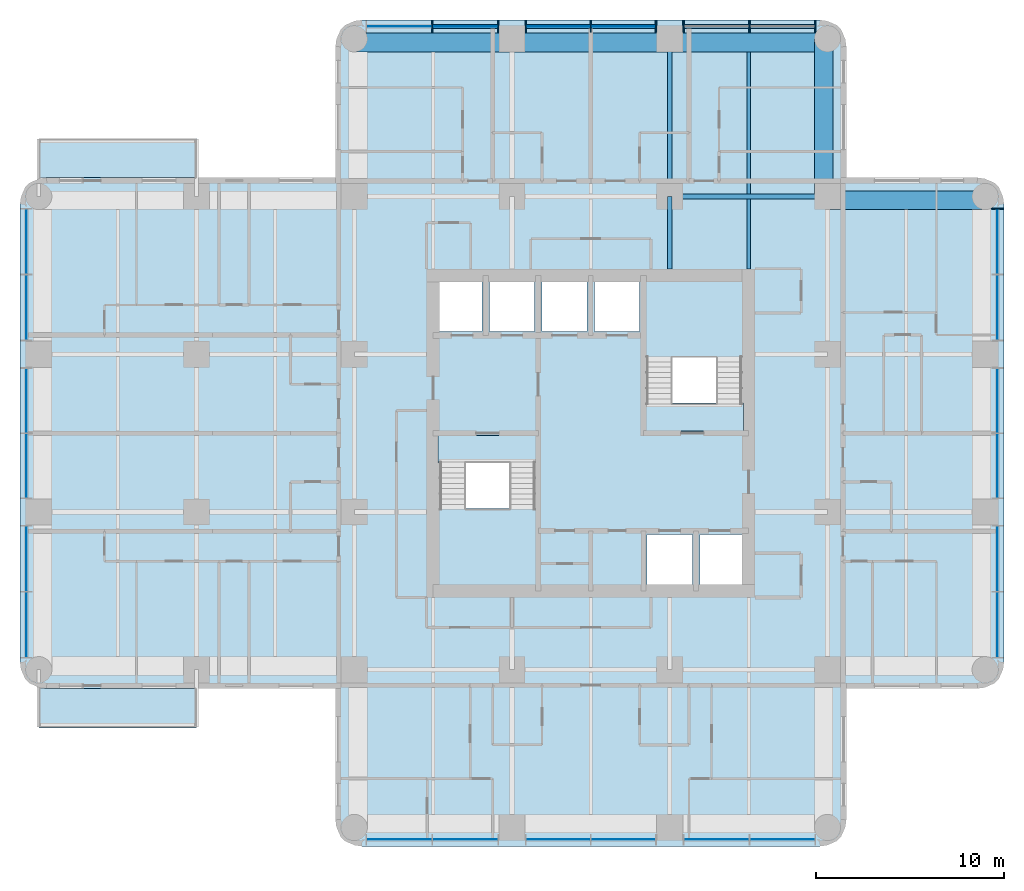
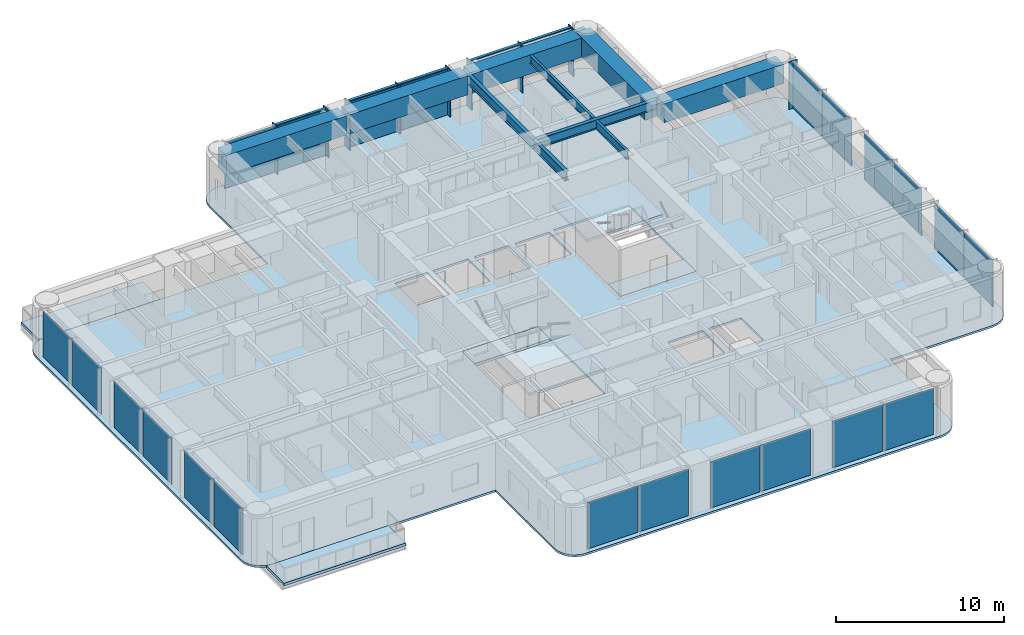
# One storey, part 3 of 11: 22 plates, 14 members, 10 beams, 7 slabs, 6 elements without a shape of their own.
"""IFC4 building model written with IfcOpenShell, lengths in metres."""

from ifc_helpers import new_model, si_unit, direction, frame, origin, origin_2d, place, context, subcontext, project, spatial, polyline, rectangle, i_section, outline, extrude, material, layer, layer_set, material_profile, profile_set, type_object, element, aggregate, save


model = new_model("IFC4")

# Units and contexts
model_context = context("Model", 3, precision=1e-05, world=origin(), true_north=direction((0.0, 1.0)))
body_context = subcontext(model_context, "Body", "Model", "MODEL_VIEW")
ifc_project = project(units=[si_unit("LENGTHUNIT", "METRE"), si_unit("AREAUNIT", "SQUARE_METRE"), si_unit("VOLUMEUNIT", "CUBIC_METRE"), si_unit("PLANEANGLEUNIT", "RADIAN"), si_unit("MASSUNIT", "GRAM", prefix="KILO")], contexts=[model_context])

# Site, building, storey
site_placement = place(None, origin())
site = spatial("IfcSite", under=ifc_project, at=site_placement, CompositionType="ELEMENT")
building_placement = place(site_placement, origin())
building = spatial("IfcBuilding", under=site, at=building_placement, Name="Torre Alcanfor", CompositionType="ELEMENT")
storey_placement = place(building_placement, frame((0.0, 0.0, 222.89990234375)))
storey = spatial("IfcBuildingStorey", under=building, at=storey_placement, Name="L58", CompositionType="ELEMENT", Elevation=222.89990234375)

# Curtain wall, member
ifc_material_1 = material(Name="Aluminium and glass", Category="aluminium")
curtain_wall_type = type_object("IfcCurtainWallType", Name="CW-A unitised apartment glazing with vertical FIN", PredefinedType="NOTDEFINED", material=ifc_material_1)
curtain_wall_1_placement = place(storey_placement, origin())
curtain_wall_1 = element("IfcCurtainWall", 1, at=curtain_wall_1_placement, inside=storey, type_object=curtain_wall_type, Name="Curtain wall CW-A L58 8", PredefinedType="NOTDEFINED")
ifc_material_2 = material(Name="Bronze anodised aluminium", Category="aluminium")
ifc_material_profile_1 = material_profile(ifc_material_2, rectangle(XDim=0.60009765625, YDim=0.06494140625, at=origin_2d()), Name="CW-A mullion 65x600")
ifc_profile_set_1 = profile_set([ifc_material_profile_1], Name="Bronze anodised aluminium")
member_type_1 = type_object("IfcMemberType", Name="CW-A mullion with vertical FIN 65x600", PredefinedType="MULLION", material=ifc_profile_set_1)
member_1_placement = place(storey_placement, frame((51.050048828125, 41.35546875, 0.0), z_axis=(0.0, 0.0, 1.0), x_axis=(-1.0, 0.0, 0.0)))
member_1 = element("IfcMember", 2, at=member_1_placement, type_object=member_type_1, Name="CW-A mullion 3.3", PredefinedType="MULLION", context=body_context, shape_type="SweptSolid", body=[
    extrude(rectangle(XDim=0.60009765625, YDim=0.06494140625, at=origin_2d()), origin(), (0.0, 0.0, 1.0), 3.4501953125),
])

# Curtain wall, members
curtain_wall_2_placement = place(storey_placement, origin())
curtain_wall_2 = element("IfcCurtainWall", 3, at=curtain_wall_2_placement, inside=storey, type_object=curtain_wall_type, Name="Curtain wall CW-A L58 11", PredefinedType="NOTDEFINED")
member_2_placement = place(storey_placement, frame((41.35546875, 51.050048828125, 0.0), z_axis=(0.0, 0.0, 1.0), x_axis=(0.0, -1.0, 0.0)))
member_2 = element("IfcMember", 4, at=member_2_placement, type_object=member_type_1, Name="CW-A mullion 1.1", PredefinedType="MULLION", context=body_context, shape_type="SweptSolid", body=[
    extrude(rectangle(XDim=0.60009765625, YDim=0.06494140625, at=origin_2d()), origin(), (0.0, 0.0, 1.0), 3.4501953125),
])
member_3_placement = place(storey_placement, frame((37.846435546875, 51.050048828125, 0.0), z_axis=(0.0, 0.0, 1.0), x_axis=(0.0, -1.0, 0.0)))
member_3 = element("IfcMember", 5, at=member_3_placement, type_object=member_type_1, Name="CW-A mullion 1.2", PredefinedType="MULLION", context=body_context, shape_type="SweptSolid", body=[
    extrude(rectangle(XDim=0.60009765625, YDim=0.06494140625, at=origin_2d()), origin(), (0.0, 0.0, 1.0), 3.4501953125),
])
member_4_placement = place(storey_placement, frame((34.33740234375, 51.050048828125, 0.0), z_axis=(0.0, 0.0, 1.0), x_axis=(0.0, -1.0, 0.0)))
member_4 = element("IfcMember", 6, at=member_4_placement, type_object=member_type_1, Name="CW-A mullion 1.3", PredefinedType="MULLION", context=body_context, shape_type="SweptSolid", body=[
    extrude(rectangle(XDim=0.60009765625, YDim=0.06494140625, at=origin_2d()), origin(), (0.0, 0.0, 1.0), 3.4501953125),
])
member_5_placement = place(storey_placement, frame((32.862548828125, 51.050048828125, 0.0), z_axis=(0.0, 0.0, 1.0), x_axis=(0.0, -1.0, 0.0)))
member_5 = element("IfcMember", 7, at=member_5_placement, type_object=member_type_1, Name="CW-A mullion 2.1", PredefinedType="MULLION", context=body_context, shape_type="SweptSolid", body=[
    extrude(rectangle(XDim=0.60009765625, YDim=0.06494140625, at=origin_2d()), origin(), (0.0, 0.0, 1.0), 3.4501953125),
])
member_6_placement = place(storey_placement, frame((29.39990234375, 51.050048828125, 0.0), z_axis=(0.0, 0.0, 1.0), x_axis=(0.0, -1.0, 0.0)))
member_6 = element("IfcMember", 8, at=member_6_placement, type_object=member_type_1, Name="CW-A mullion 2.2", PredefinedType="MULLION", context=body_context, shape_type="SweptSolid", body=[
    extrude(rectangle(XDim=0.60009765625, YDim=0.06494140625, at=origin_2d()), origin(), (0.0, 0.0, 1.0), 3.4501953125),
])
member_7_placement = place(storey_placement, frame((25.9375, 51.050048828125, 0.0), z_axis=(0.0, 0.0, 1.0), x_axis=(0.0, -1.0, 0.0)))
member_7 = element("IfcMember", 9, at=member_7_placement, type_object=member_type_1, Name="CW-A mullion 2.3", PredefinedType="MULLION", context=body_context, shape_type="SweptSolid", body=[
    extrude(rectangle(XDim=0.60009765625, YDim=0.06494140625, at=origin_2d()), origin(), (0.0, 0.0, 1.0), 3.4501953125),
])
member_8_placement = place(storey_placement, frame((24.46240234375, 51.050048828125, 0.0), z_axis=(0.0, 0.0, 1.0), x_axis=(0.0, -1.0, 0.0)))
member_8 = element("IfcMember", 10, at=member_8_placement, type_object=member_type_1, Name="CW-A mullion 3.1", PredefinedType="MULLION", context=body_context, shape_type="SweptSolid", body=[
    extrude(rectangle(XDim=0.60009765625, YDim=0.06494140625, at=origin_2d()), origin(), (0.0, 0.0, 1.0), 3.4501953125),
])
member_9_placement = place(storey_placement, frame((20.95361328125, 51.050048828125, 0.0), z_axis=(0.0, 0.0, 1.0), x_axis=(0.0, -1.0, 0.0)))
member_9 = element("IfcMember", 11, at=member_9_placement, type_object=member_type_1, Name="CW-A mullion 3.2", PredefinedType="MULLION", context=body_context, shape_type="SweptSolid", body=[
    extrude(rectangle(XDim=0.60009765625, YDim=0.06494140625, at=origin_2d()), origin(), (0.0, 0.0, 1.0), 3.4501953125),
])
ifc_material_3 = material(Name="Extruded aluminium", Category="aluminium")
ifc_material_profile_2 = material_profile(ifc_material_3, rectangle(XDim=0.199951171875, YDim=0.06494140625, at=origin_2d()), Name="CW-A transom 200x65")
ifc_profile_set_2 = profile_set([ifc_material_profile_2], Name="Extruded aluminium")
member_type_2 = type_object("IfcMemberType", Name="CW-A transom 65x200", PredefinedType="USERDEFINED", material=ifc_profile_set_2)
member_10_placement = place(storey_placement, frame((41.322998046875, 51.050048828125, 3.41748046875), z_axis=(-1.0, 0.0, 0.0), x_axis=(0.0, -1.0, 0.0)))
member_10 = element("IfcMember", 12, at=member_10_placement, type_object=member_type_2, Name="CW-A transom 1.1.2", ObjectType="TRANSOM", PredefinedType="USERDEFINED", context=body_context, shape_type="SweptSolid", body=[
    extrude(rectangle(XDim=0.199951171875, YDim=0.06494140625, at=origin_2d()), origin(), (0.0, 0.0, 1.0), 3.444091796875),
])
member_11_placement = place(storey_placement, frame((37.81396484375, 51.050048828125, 3.41748046875), z_axis=(-1.0, 0.0, 0.0), x_axis=(0.0, -1.0, 0.0)))
member_11 = element("IfcMember", 13, at=member_11_placement, type_object=member_type_2, Name="CW-A transom 1.2.2", ObjectType="TRANSOM", PredefinedType="USERDEFINED", context=body_context, shape_type="SweptSolid", body=[
    extrude(rectangle(XDim=0.199951171875, YDim=0.06494140625, at=origin_2d()), origin(), (0.0, 0.0, 1.0), 3.44384765625),
])
member_12_placement = place(storey_placement, frame((32.830078125, 51.050048828125, 3.41748046875), z_axis=(-1.0, 0.0, 0.0), x_axis=(0.0, -1.0, 0.0)))
member_12 = element("IfcMember", 14, at=member_12_placement, type_object=member_type_2, Name="CW-A transom 2.1.2", ObjectType="TRANSOM", PredefinedType="USERDEFINED", context=body_context, shape_type="SweptSolid", body=[
    extrude(rectangle(XDim=0.199951171875, YDim=0.06494140625, at=origin_2d()), origin(), (0.0, 0.0, 1.0), 3.3974609375),
])
member_13_placement = place(storey_placement, frame((29.367431640625, 51.050048828125, 3.41748046875), z_axis=(-1.0, 0.0, 0.0), x_axis=(0.0, -1.0, 0.0)))
member_13 = element("IfcMember", 15, at=member_13_placement, type_object=member_type_2, Name="CW-A transom 2.2.2", ObjectType="TRANSOM", PredefinedType="USERDEFINED", context=body_context, shape_type="SweptSolid", body=[
    extrude(rectangle(XDim=0.199951171875, YDim=0.06494140625, at=origin_2d()), origin(), (0.0, 0.0, 1.0), 3.3974609375),
])
member_14_placement = place(storey_placement, frame((24.429931640625, 51.050048828125, 3.41748046875), z_axis=(-1.0, 0.0, 0.0), x_axis=(0.0, -1.0, 0.0)))
member_14 = element("IfcMember", 16, at=member_14_placement, type_object=member_type_2, Name="CW-A transom 3.1.2", ObjectType="TRANSOM", PredefinedType="USERDEFINED", context=body_context, shape_type="SweptSolid", body=[
    extrude(rectangle(XDim=0.199951171875, YDim=0.06494140625, at=origin_2d()), origin(), (0.0, 0.0, 1.0), 3.44384765625),
])

# Beams
ifc_material_4 = material(Name="Steel ASTM A992 Grade 50", Category="steel")
ifc_material_profile_3 = material_profile(ifc_material_4, i_section(OverallWidth=0.25390625, OverallDepth=0.683349609375, WebThickness=0.012451171875, FlangeThickness=0.01904296875, at=origin_2d()), Name="W27x94")
ifc_profile_set_3 = profile_set([ifc_material_profile_3], Name="Steel ASTM A992 Grade 50")
beam_type_1 = type_object("IfcBeamType", Name="Girder W27x94", PredefinedType="BEAM", material=ifc_profile_set_3)
for number, where, z_axis, x_axis, name in (
    (17, (33.60009765625, 42.0, 3.1083984375), (1.0, 0.0, 0.0), (0.0, 1.0, 0.0), "Beam 5H-6H under L59"),
    (18, (33.60009765625, 42.0, 3.1083984375), (0.0, 1.0, 0.0), (-1.0, 0.0, 0.0), "Beam 5H-5J under L59"),
):
    element("IfcBeam", number, at=place(storey_placement, frame(where, z_axis=z_axis, x_axis=x_axis)), inside=storey, type_object=beam_type_1, Name=name, PredefinedType="BEAM", context=body_context, shape_type="SweptSolid", body=[
        extrude(i_section(OverallWidth=0.25390625, OverallDepth=0.683349609375, WebThickness=0.012451171875, FlangeThickness=0.01904296875, at=origin_2d()), origin(), (0.0, 0.0, 1.0), 8.39990234375),
    ])
ifc_material_5 = material(Name="Steel ASTM A992 Grade 50", Category="steel")
ifc_material_profile_4 = material_profile(ifc_material_5, i_section(OverallWidth=0.25390625, OverallDepth=0.683349609375, WebThickness=0.012451171875, FlangeThickness=0.01904296875, at=origin_2d()), Name="W27x94")
ifc_profile_set_4 = profile_set([ifc_material_profile_4], Name="Steel ASTM A992 Grade 50")
beam_type_2 = type_object("IfcBeamType", Name="Girder, part bay W27x94", PredefinedType="BEAM", material=ifc_profile_set_4)
beam_1_placement = place(storey_placement, frame((33.60009765625, 42.0, 3.1083984375), z_axis=(0.0, -1.0, 0.0), x_axis=(1.0, 0.0, 0.0)))
element("IfcBeam", 19, at=beam_1_placement, inside=storey, type_object=beam_type_2, Name="Beam 5H-538_15 under L59", PredefinedType="BEAM", context=body_context, shape_type="SweptSolid", body=[
    extrude(i_section(OverallWidth=0.25390625, OverallDepth=0.683349609375, WebThickness=0.012451171875, FlangeThickness=0.01904296875, at=origin_2d()), origin(), (0.0, 0.0, 1.0), 3.85009765625),
])
ifc_material_6 = material(Name="Concrete f'c 70 MPa", Category="concrete")
ifc_material_profile_5 = material_profile(ifc_material_6, rectangle(XDim=1.0, YDim=1.39990234375, at=origin_2d()), Name="1000x1400")
ifc_profile_set_5 = profile_set([ifc_material_profile_5], Name="Concrete f'c 70 MPa")
beam_type_3 = type_object("IfcBeamType", Name="RC perimeter beam 1000x1400", PredefinedType="BEAM", material=ifc_profile_set_5)
for number, where, z_axis, x_axis, name in (
    (20, (42.126953125, 41.800048828125, 2.75), (1.0, 0.0, 0.0), (0.0, 1.0, 0.0), "Beam 6H-7H under L59"),
    (21, (16.800048828125, 50.199951171875, 2.75), (1.0, 0.0, 0.0), (0.0, 1.0, 0.0), "Beam 3J-4J under L59"),
):
    element("IfcBeam", number, at=place(storey_placement, frame(where, z_axis=z_axis, x_axis=x_axis)), inside=storey, type_object=beam_type_3, Name=name, PredefinedType="BEAM", context=body_context, shape_type="SweptSolid", body=[
        extrude(rectangle(XDim=1.0, YDim=1.39990234375, at=origin_2d()), origin(), (0.0, 0.0, 1.0), 8.27294921875),
    ])
beam_2_placement = place(storey_placement, frame((25.326904296875, 50.199951171875, 2.75), z_axis=(1.0, 0.0, 0.0), x_axis=(0.0, 1.0, 0.0)))
element("IfcBeam", 22, at=beam_2_placement, inside=storey, type_object=beam_type_3, Name="Beam 4J-5J under L59", PredefinedType="BEAM", context=body_context, shape_type="SweptSolid", body=[
    extrude(rectangle(XDim=1.0, YDim=1.39990234375, at=origin_2d()), origin(), (0.0, 0.0, 1.0), 8.14599609375),
])
for number, where, z_axis, x_axis, name in (
    (23, (33.72705078125, 50.199951171875, 2.75), (1.0, 0.0, 0.0), (0.0, 1.0, 0.0), "Beam 5J-6J under L59"),
    (24, (41.800048828125, 42.126953125, 2.75), (0.0, 1.0, 0.0), (-1.0, 0.0, 0.0), "Beam 6H-6J under L59"),
):
    element("IfcBeam", number, at=place(storey_placement, frame(where, z_axis=z_axis, x_axis=x_axis)), inside=storey, type_object=beam_type_3, Name=name, PredefinedType="BEAM", context=body_context, shape_type="SweptSolid", body=[
        extrude(rectangle(XDim=1.0, YDim=1.39990234375, at=origin_2d()), origin(), (0.0, 0.0, 1.0), 8.27294921875),
    ])
ifc_material_7 = material(Name="Steel ASTM A992 Grade 50", Category="steel")
ifc_material_profile_6 = material_profile(ifc_material_7, i_section(OverallWidth=0.1787109375, OverallDepth=0.60205078125, WebThickness=0.010986328125, FlangeThickness=0.014892578125, at=origin_2d()), Name="W24x62")
ifc_profile_set_6 = profile_set([ifc_material_profile_6], Name="Steel ASTM A992 Grade 50")
beam_type_4 = type_object("IfcBeamType", Name="Secondary beam W24x62", PredefinedType="BEAM", material=ifc_profile_set_6)
beam_3_placement = place(storey_placement, frame((37.800048828125, 42.126953125, 3.149169921875), z_axis=(0.0, 1.0, 0.0), x_axis=(-1.0, 0.0, 0.0)))
element("IfcBeam", 25, at=beam_3_placement, inside=storey, type_object=beam_type_4, Name="Beam 37_8H-37_8J under L59", PredefinedType="BEAM", context=body_context, shape_type="SweptSolid", body=[
    extrude(i_section(OverallWidth=0.1787109375, OverallDepth=0.60205078125, WebThickness=0.010986328125, FlangeThickness=0.014892578125, at=origin_2d()), origin(), (0.0, 0.0, 1.0), 7.572998046875),
])
ifc_material_8 = material(Name="Steel ASTM A992 Grade 50", Category="steel")
ifc_material_profile_7 = material_profile(ifc_material_8, i_section(OverallWidth=0.1787109375, OverallDepth=0.60205078125, WebThickness=0.010986328125, FlangeThickness=0.014892578125, at=origin_2d()), Name="W24x62")
ifc_profile_set_7 = profile_set([ifc_material_profile_7], Name="Steel ASTM A992 Grade 50")
beam_type_5 = type_object("IfcBeamType", Name="Secondary beam, part bay W24x62", PredefinedType="BEAM", material=ifc_profile_set_7)
beam_4_placement = place(storey_placement, frame((37.800048828125, 38.14990234375, 3.149169921875), z_axis=(0.0, 1.0, 0.0), x_axis=(-1.0, 0.0, 0.0)))
element("IfcBeam", 26, at=beam_4_placement, inside=storey, type_object=beam_type_5, Name="Beam 37_838_15-37_8H under L59", PredefinedType="BEAM", context=body_context, shape_type="SweptSolid", body=[
    extrude(i_section(OverallWidth=0.1787109375, OverallDepth=0.60205078125, WebThickness=0.010986328125, FlangeThickness=0.014892578125, at=origin_2d()), origin(), (0.0, 0.0, 1.0), 3.72314453125),
])

# Slabs
ifc_material_9 = material(Name="Concrete f'c 35 MPa", Category="concrete")
ifc_layer_1 = layer(ifc_material_9, 0.199951171875)
ifc_layer_set_1 = layer_set([ifc_layer_1], Name="Balcony slab 200")
slab_type_1 = type_object("IfcSlabType", Name="Balcony slab 200", PredefinedType="FLOOR", material=ifc_layer_set_1)
slab_1_placement = place(storey_placement, frame((0.0, 0.0, -0.199951171875)))
element("IfcSlab", 27, at=slab_1_placement, inside=storey, type_object=slab_type_1, Name="Balcony L58-W1", PredefinedType="FLOOR", context=body_context, shape_type="SweptSolid", body=[
    extrude(outline(polyline([(8.39990234375, 15.800048828125), (0.0, 15.800048828125), (0.0, 13.699951171875), (8.39990234375, 13.699951171875), (8.39990234375, 15.800048828125)])), origin(), (0.0, 0.0, 1.0), 0.199951171875),
])
slab_2_placement = place(storey_placement, frame((0.0, 0.0, -0.199951171875)))
element("IfcSlab", 28, at=slab_2_placement, inside=storey, type_object=slab_type_1, Name="Balcony L58-W2", PredefinedType="FLOOR", context=body_context, shape_type="SweptSolid", body=[
    extrude(outline(polyline([(8.39990234375, 45.10009765625), (0.0, 45.10009765625), (0.0, 43.0), (8.39990234375, 43.0), (8.39990234375, 45.10009765625)])), origin(), (0.0, 0.0, 1.0), 0.199951171875),
])

# Curtain wall, plates
curtain_wall_3_placement = place(storey_placement, origin())
curtain_wall_3 = element("IfcCurtainWall", 29, at=curtain_wall_3_placement, inside=storey, type_object=curtain_wall_type, Name="Curtain wall CW-A L58 2", PredefinedType="NOTDEFINED")
ifc_material_10 = material(Name="Glass", Category="glass")
ifc_layer_2 = layer(ifc_material_10, 0.028076171875)
ifc_layer_set_2 = layer_set([ifc_layer_2], Name="CW-A clear double glazed unit")
plate_type = type_object("IfcPlateType", Name="CW-A clear double glazed unit", PredefinedType="CURTAIN_PANEL", material=ifc_layer_set_2)
plate_1_placement = place(storey_placement, frame((-0.64990234375, 39.60107421875, 0.0), z_axis=(0.0, 0.0, 1.0), x_axis=(0.0, -1.0, 0.0)))
plate_1 = element("IfcPlate", 30, at=plate_1_placement, type_object=plate_type, Name="CW-A panel 1.1.1", PredefinedType="CURTAIN_PANEL", context=body_context, shape_type="SweptSolid", body=[
    extrude(rectangle(XDim=3.444091796875, YDim=0.028076171875, at=origin_2d()), origin(), (0.0, 0.0, 1.0), 3.385009765625),
])
plate_2_placement = place(storey_placement, frame((-0.64990234375, 36.092041015625, 0.0), z_axis=(0.0, 0.0, 1.0), x_axis=(0.0, -1.0, 0.0)))
plate_2 = element("IfcPlate", 31, at=plate_2_placement, type_object=plate_type, Name="CW-A panel 1.2.1", PredefinedType="CURTAIN_PANEL", context=body_context, shape_type="SweptSolid", body=[
    extrude(rectangle(XDim=3.444091796875, YDim=0.028076171875, at=origin_2d()), origin(), (0.0, 0.0, 1.0), 3.385009765625),
])
plate_3_placement = place(storey_placement, frame((-0.64990234375, 31.13134765625, 0.0), z_axis=(0.0, 0.0, 1.0), x_axis=(0.0, -1.0, 0.0)))
plate_3 = element("IfcPlate", 32, at=plate_3_placement, type_object=plate_type, Name="CW-A panel 2.1.1", PredefinedType="CURTAIN_PANEL", context=body_context, shape_type="SweptSolid", body=[
    extrude(rectangle(XDim=3.3974609375, YDim=0.028076171875, at=origin_2d()), origin(), (0.0, 0.0, 1.0), 3.385009765625),
])
plate_4_placement = place(storey_placement, frame((-0.64990234375, 27.668701171875, 0.0), z_axis=(0.0, 0.0, 1.0), x_axis=(0.0, -1.0, 0.0)))
plate_4 = element("IfcPlate", 33, at=plate_4_placement, type_object=plate_type, Name="CW-A panel 2.2.1", PredefinedType="CURTAIN_PANEL", context=body_context, shape_type="SweptSolid", body=[
    extrude(rectangle(XDim=3.3974609375, YDim=0.028076171875, at=origin_2d()), origin(), (0.0, 0.0, 1.0), 3.385009765625),
])
plate_5_placement = place(storey_placement, frame((-0.64990234375, 22.7080078125, 0.0), z_axis=(0.0, 0.0, 1.0), x_axis=(0.0, -1.0, 0.0)))
plate_5 = element("IfcPlate", 34, at=plate_5_placement, type_object=plate_type, Name="CW-A panel 3.1.1", PredefinedType="CURTAIN_PANEL", context=body_context, shape_type="SweptSolid", body=[
    extrude(rectangle(XDim=3.444091796875, YDim=0.028076171875, at=origin_2d()), origin(), (0.0, 0.0, 1.0), 3.385009765625),
])
plate_6_placement = place(storey_placement, frame((-0.64990234375, 19.198974609375, 0.0), z_axis=(0.0, 0.0, 1.0), x_axis=(0.0, -1.0, 0.0)))
plate_6 = element("IfcPlate", 35, at=plate_6_placement, type_object=plate_type, Name="CW-A panel 3.2.1", PredefinedType="CURTAIN_PANEL", context=body_context, shape_type="SweptSolid", body=[
    extrude(rectangle(XDim=3.444091796875, YDim=0.028076171875, at=origin_2d()), origin(), (0.0, 0.0, 1.0), 3.385009765625),
])
aggregate(curtain_wall_3, [plate_1, plate_2, plate_3, plate_4, plate_5, plate_6])

curtain_wall_4_placement = place(storey_placement, origin())
curtain_wall_4 = element("IfcCurtainWall", 36, at=curtain_wall_4_placement, inside=storey, type_object=curtain_wall_type, Name="Curtain wall CW-A L58 5", PredefinedType="NOTDEFINED")
plate_7_placement = place(storey_placement, frame((19.198974609375, 7.75, 0.0), z_axis=(0.0, 0.0, 1.0), x_axis=(1.0, 0.0, 0.0)))
plate_7 = element("IfcPlate", 37, at=plate_7_placement, type_object=plate_type, Name="CW-A panel 1.1.1", PredefinedType="CURTAIN_PANEL", context=body_context, shape_type="SweptSolid", body=[
    extrude(rectangle(XDim=3.444091796875, YDim=0.028076171875, at=origin_2d()), origin(), (0.0, 0.0, 1.0), 3.385009765625),
])
plate_8_placement = place(storey_placement, frame((22.7080078125, 7.75, 0.0), z_axis=(0.0, 0.0, 1.0), x_axis=(1.0, 0.0, 0.0)))
plate_8 = element("IfcPlate", 38, at=plate_8_placement, type_object=plate_type, Name="CW-A panel 1.2.1", PredefinedType="CURTAIN_PANEL", context=body_context, shape_type="SweptSolid", body=[
    extrude(rectangle(XDim=3.444091796875, YDim=0.028076171875, at=origin_2d()), origin(), (0.0, 0.0, 1.0), 3.385009765625),
])
plate_9_placement = place(storey_placement, frame((27.668701171875, 7.75, 0.0), z_axis=(0.0, 0.0, 1.0), x_axis=(1.0, 0.0, 0.0)))
plate_9 = element("IfcPlate", 39, at=plate_9_placement, type_object=plate_type, Name="CW-A panel 2.1.1", PredefinedType="CURTAIN_PANEL", context=body_context, shape_type="SweptSolid", body=[
    extrude(rectangle(XDim=3.3974609375, YDim=0.028076171875, at=origin_2d()), origin(), (0.0, 0.0, 1.0), 3.385009765625),
])
plate_10_placement = place(storey_placement, frame((31.13134765625, 7.75, 0.0), z_axis=(0.0, 0.0, 1.0), x_axis=(1.0, 0.0, 0.0)))
plate_10 = element("IfcPlate", 40, at=plate_10_placement, type_object=plate_type, Name="CW-A panel 2.2.1", PredefinedType="CURTAIN_PANEL", context=body_context, shape_type="SweptSolid", body=[
    extrude(rectangle(XDim=3.3974609375, YDim=0.028076171875, at=origin_2d()), origin(), (0.0, 0.0, 1.0), 3.385009765625),
])
plate_11_placement = place(storey_placement, frame((36.092041015625, 7.75, 0.0), z_axis=(0.0, 0.0, 1.0), x_axis=(1.0, 0.0, 0.0)))
plate_11 = element("IfcPlate", 41, at=plate_11_placement, type_object=plate_type, Name="CW-A panel 3.1.1", PredefinedType="CURTAIN_PANEL", context=body_context, shape_type="SweptSolid", body=[
    extrude(rectangle(XDim=3.444091796875, YDim=0.028076171875, at=origin_2d()), origin(), (0.0, 0.0, 1.0), 3.385009765625),
])
plate_12_placement = place(storey_placement, frame((39.60107421875, 7.75, 0.0), z_axis=(0.0, 0.0, 1.0), x_axis=(1.0, 0.0, 0.0)))
plate_12 = element("IfcPlate", 42, at=plate_12_placement, type_object=plate_type, Name="CW-A panel 3.2.1", PredefinedType="CURTAIN_PANEL", context=body_context, shape_type="SweptSolid", body=[
    extrude(rectangle(XDim=3.444091796875, YDim=0.028076171875, at=origin_2d()), origin(), (0.0, 0.0, 1.0), 3.385009765625),
])
aggregate(curtain_wall_4, [plate_7, plate_8, plate_9, plate_10, plate_11, plate_12])

# Plate
plate_13_placement = place(storey_placement, frame((51.050048828125, 19.198974609375, 0.0), z_axis=(0.0, 0.0, 1.0), x_axis=(0.0, 1.0, 0.0)))
plate_13 = element("IfcPlate", 43, at=plate_13_placement, type_object=plate_type, Name="CW-A panel 1.1.1", PredefinedType="CURTAIN_PANEL", context=body_context, shape_type="SweptSolid", body=[
    extrude(rectangle(XDim=3.444091796875, YDim=0.028076171875, at=origin_2d()), origin(), (0.0, 0.0, 1.0), 3.385009765625),
])

plate_14_placement = place(storey_placement, frame((51.050048828125, 22.7080078125, 0.0), z_axis=(0.0, 0.0, 1.0), x_axis=(0.0, 1.0, 0.0)))
plate_14 = element("IfcPlate", 44, at=plate_14_placement, type_object=plate_type, Name="CW-A panel 1.2.1", PredefinedType="CURTAIN_PANEL", context=body_context, shape_type="SweptSolid", body=[
    extrude(rectangle(XDim=3.444091796875, YDim=0.028076171875, at=origin_2d()), origin(), (0.0, 0.0, 1.0), 3.385009765625),
])

plate_15_placement = place(storey_placement, frame((51.050048828125, 27.668701171875, 0.0), z_axis=(0.0, 0.0, 1.0), x_axis=(0.0, 1.0, 0.0)))
plate_15 = element("IfcPlate", 45, at=plate_15_placement, type_object=plate_type, Name="CW-A panel 2.1.1", PredefinedType="CURTAIN_PANEL", context=body_context, shape_type="SweptSolid", body=[
    extrude(rectangle(XDim=3.3974609375, YDim=0.028076171875, at=origin_2d()), origin(), (0.0, 0.0, 1.0), 3.385009765625),
])

plate_16_placement = place(storey_placement, frame((51.050048828125, 31.13134765625, 0.0), z_axis=(0.0, 0.0, 1.0), x_axis=(0.0, 1.0, 0.0)))
plate_16 = element("IfcPlate", 46, at=plate_16_placement, type_object=plate_type, Name="CW-A panel 2.2.1", PredefinedType="CURTAIN_PANEL", context=body_context, shape_type="SweptSolid", body=[
    extrude(rectangle(XDim=3.3974609375, YDim=0.028076171875, at=origin_2d()), origin(), (0.0, 0.0, 1.0), 3.385009765625),
])

plate_17_placement = place(storey_placement, frame((51.050048828125, 36.092041015625, 0.0), z_axis=(0.0, 0.0, 1.0), x_axis=(0.0, 1.0, 0.0)))
plate_17 = element("IfcPlate", 47, at=plate_17_placement, type_object=plate_type, Name="CW-A panel 3.1.1", PredefinedType="CURTAIN_PANEL", context=body_context, shape_type="SweptSolid", body=[
    extrude(rectangle(XDim=3.444091796875, YDim=0.028076171875, at=origin_2d()), origin(), (0.0, 0.0, 1.0), 3.385009765625),
])

plate_18_placement = place(storey_placement, frame((51.050048828125, 39.60107421875, 0.0), z_axis=(0.0, 0.0, 1.0), x_axis=(0.0, 1.0, 0.0)))
plate_18 = element("IfcPlate", 48, at=plate_18_placement, type_object=plate_type, Name="CW-A panel 3.2.1", PredefinedType="CURTAIN_PANEL", context=body_context, shape_type="SweptSolid", body=[
    extrude(rectangle(XDim=3.444091796875, YDim=0.028076171875, at=origin_2d()), origin(), (0.0, 0.0, 1.0), 3.385009765625),
])

aggregate(curtain_wall_1, [plate_13, plate_14, plate_15, plate_16, member_1, plate_17, plate_18])

plate_19_placement = place(storey_placement, frame((31.13134765625, 51.050048828125, 0.0), z_axis=(0.0, 0.0, 1.0), x_axis=(-1.0, 0.0, 0.0)))
plate_19 = element("IfcPlate", 49, at=plate_19_placement, type_object=plate_type, Name="CW-A panel 2.1.1", PredefinedType="CURTAIN_PANEL", context=body_context, shape_type="SweptSolid", body=[
    extrude(rectangle(XDim=3.3974609375, YDim=0.028076171875, at=origin_2d()), origin(), (0.0, 0.0, 1.0), 3.385009765625),
])

plate_20_placement = place(storey_placement, frame((27.668701171875, 51.050048828125, 0.0), z_axis=(0.0, 0.0, 1.0), x_axis=(-1.0, 0.0, 0.0)))
plate_20 = element("IfcPlate", 50, at=plate_20_placement, type_object=plate_type, Name="CW-A panel 2.2.1", PredefinedType="CURTAIN_PANEL", context=body_context, shape_type="SweptSolid", body=[
    extrude(rectangle(XDim=3.3974609375, YDim=0.028076171875, at=origin_2d()), origin(), (0.0, 0.0, 1.0), 3.385009765625),
])

plate_21_placement = place(storey_placement, frame((22.7080078125, 51.050048828125, 0.0), z_axis=(0.0, 0.0, 1.0), x_axis=(-1.0, 0.0, 0.0)))
plate_21 = element("IfcPlate", 51, at=plate_21_placement, type_object=plate_type, Name="CW-A panel 3.1.1", PredefinedType="CURTAIN_PANEL", context=body_context, shape_type="SweptSolid", body=[
    extrude(rectangle(XDim=3.444091796875, YDim=0.028076171875, at=origin_2d()), origin(), (0.0, 0.0, 1.0), 3.385009765625),
])

plate_22_placement = place(storey_placement, frame((19.198974609375, 51.050048828125, 0.0), z_axis=(0.0, 0.0, 1.0), x_axis=(-1.0, 0.0, 0.0)))
plate_22 = element("IfcPlate", 52, at=plate_22_placement, type_object=plate_type, Name="CW-A panel 3.2.1", PredefinedType="CURTAIN_PANEL", context=body_context, shape_type="SweptSolid", body=[
    extrude(rectangle(XDim=3.444091796875, YDim=0.028076171875, at=origin_2d()), origin(), (0.0, 0.0, 1.0), 3.385009765625),
])

aggregate(curtain_wall_2, [member_2, member_3, member_4, member_10, member_11, member_5, member_6, member_7, member_12, plate_19, member_13, plate_20, member_8, member_9, member_14, plate_21, plate_22])

# Slab
ifc_material_11 = material(Name="Concrete f'c 35 MPa", Category="concrete")
ifc_layer_3 = layer(ifc_material_11, 0.14990234375)
ifc_layer_set_3 = layer_set([ifc_layer_3], Name="Composite floor 150 on metal deck")
slab_type_2 = type_object("IfcSlabType", Name="Composite floor 150 on metal deck", PredefinedType="FLOOR", material=ifc_layer_set_3)
slab_3_placement = place(storey_placement, frame((0.0, 0.0, -0.14990234375)))
element("IfcSlab", 53, at=slab_3_placement, inside=storey, type_object=slab_type_2, Name="Floor slab L58", PredefinedType="FLOOR", context=body_context, shape_type="SweptSolid", body=[
    extrude(outline(polyline([(15.800048828125, 43.0), (0.39990234375, 43.0), (0.03759765625, 42.952392578125), (-0.300048828125, 42.8125), (-0.58984375, 42.58984375), (-0.8125, 42.300048828125), (-0.952392578125, 41.96240234375), (-1.0, 41.60009765625), (-1.0, 17.199951171875), (-0.952392578125, 16.837646484375), (-0.8125, 16.5), (-0.58984375, 16.210205078125), (-0.300048828125, 15.987548828125), (0.03759765625, 15.84765625), (0.39990234375, 15.800048828125), (15.800048828125, 15.800048828125), (15.800048828125, 8.800048828125), (15.84765625, 8.437744140625), (15.987548828125, 8.10009765625), (16.210205078125, 7.81005859375), (16.5, 7.587646484375), (16.837646484375, 7.44775390625), (17.199951171875, 7.39990234375), (41.60009765625, 7.39990234375), (41.96240234375, 7.44775390625), (42.300048828125, 7.587646484375), (42.58984375, 7.81005859375), (42.8125, 8.10009765625), (42.952392578125, 8.437744140625), (43.0, 8.800048828125), (43.0, 15.800048828125), (50.0, 15.800048828125), (50.3623046875, 15.84765625), (50.699951171875, 15.987548828125), (50.989990234375, 16.210205078125), (51.21240234375, 16.5), (51.352294921875, 16.837646484375), (51.39990234375, 17.199951171875), (51.39990234375, 41.60009765625), (51.352294921875, 41.96240234375), (51.21240234375, 42.300048828125), (50.989990234375, 42.58984375), (50.699951171875, 42.8125), (50.3623046875, 42.952392578125), (50.0, 43.0), (43.0, 43.0), (43.0, 50.0), (42.952392578125, 50.3623046875), (42.8125, 50.699951171875), (42.58984375, 50.989990234375), (42.300048828125, 51.21240234375), (41.96240234375, 51.352294921875), (41.60009765625, 51.39990234375), (17.199951171875, 51.39990234375), (16.837646484375, 51.352294921875), (16.5, 51.21240234375), (16.210205078125, 50.989990234375), (15.987548828125, 50.699951171875), (15.84765625, 50.3623046875), (15.800048828125, 50.0), (15.800048828125, 43.0)]), holes=[polyline([(21.27001953125, 21.27001953125), (26.47998046875, 21.27001953125), (26.47998046875, 29.280029296875), (21.27001953125, 29.280029296875), (21.27001953125, 21.27001953125)]), polyline([(32.320068359375, 29.52001953125), (37.530029296875, 29.52001953125), (37.530029296875, 37.530029296875), (32.320068359375, 37.530029296875), (32.320068359375, 29.52001953125)]), polyline([(32.39990234375, 21.35009765625), (34.800048828125, 21.35009765625), (34.800048828125, 24.0), (32.39990234375, 24.0), (32.39990234375, 21.35009765625)]), polyline([(35.199951171875, 21.35009765625), (37.449951171875, 21.35009765625), (37.449951171875, 24.0), (35.199951171875, 24.0), (35.199951171875, 21.35009765625)]), polyline([(21.35009765625, 34.800048828125), (23.60009765625, 34.800048828125), (23.60009765625, 37.449951171875), (21.35009765625, 37.449951171875), (21.35009765625, 34.800048828125)]), polyline([(24.0, 34.800048828125), (26.39990234375, 34.800048828125), (26.39990234375, 37.449951171875), (24.0, 37.449951171875), (24.0, 34.800048828125)]), polyline([(26.800048828125, 34.800048828125), (29.199951171875, 34.800048828125), (29.199951171875, 37.449951171875), (26.800048828125, 37.449951171875), (26.800048828125, 34.800048828125)]), polyline([(29.60009765625, 34.800048828125), (32.0, 34.800048828125), (32.0, 37.449951171875), (29.60009765625, 37.449951171875), (29.60009765625, 34.800048828125)])]), origin(), (0.0, 0.0, 1.0), 0.14990234375),
])

# Stair, slabs
ifc_material_12 = material(Name="Concrete f'c 35 MPa", Category="concrete")
stair_type_1 = type_object("IfcStairType", Name="Exit stair S1 1400 wide", PredefinedType="HALF_TURN_STAIR", material=ifc_material_12)
stair_1_placement = place(storey_placement, origin())
stair_1 = element("IfcStair", 54, at=stair_1_placement, inside=storey, type_object=stair_type_1, Name="Stair S1 L58 to L59", PredefinedType="HALF_TURN_STAIR")
ifc_material_13 = material(Name="Concrete f'c 35 MPa", Category="concrete")
ifc_layer_4 = layer(ifc_material_13, 0.199951171875)
ifc_layer_set_4 = layer_set([ifc_layer_4], Name="Stair landing 200")
slab_type_3 = type_object("IfcSlabType", Name="Stair landing 200", PredefinedType="LANDING", material=ifc_layer_set_4)
slab_4_placement = place(storey_placement, frame((0.0, 0.0, -0.199951171875)))
slab_4 = element("IfcSlab", 55, at=slab_4_placement, type_object=slab_type_3, Name="S1 landing 1", PredefinedType="LANDING", context=body_context, shape_type="SweptSolid", body=[
    extrude(outline(polyline([(21.27001953125, 27.800048828125), (26.47998046875, 27.800048828125), (26.47998046875, 29.280029296875), (21.27001953125, 29.280029296875), (21.27001953125, 27.800048828125)])), origin(), (0.0, 0.0, 1.0), 0.199951171875),
])
slab_5_placement = place(storey_placement, frame((0.0, 0.0, 1.60009765625)))
slab_5 = element("IfcSlab", 56, at=slab_5_placement, type_object=slab_type_3, Name="S1 landing 2", PredefinedType="LANDING", context=body_context, shape_type="SweptSolid", body=[
    extrude(outline(polyline([(21.27001953125, 21.27001953125), (26.530029296875, 21.27001953125), (26.530029296875, 25.3798828125), (21.27001953125, 25.3798828125), (21.27001953125, 21.27001953125)])), origin(), (0.0, 0.0, 1.0), 0.199951171875),
])
aggregate(stair_1, [slab_4, slab_5])

ifc_material_14 = material(Name="Concrete f'c 35 MPa", Category="concrete")
stair_type_2 = type_object("IfcStairType", Name="Exit stair S2 1400 wide", PredefinedType="HALF_TURN_STAIR", material=ifc_material_14)
stair_2_placement = place(storey_placement, origin())
stair_2 = element("IfcStair", 57, at=stair_2_placement, inside=storey, type_object=stair_type_2, Name="Stair S2 L58 to L59", PredefinedType="HALF_TURN_STAIR")
slab_6_placement = place(storey_placement, frame((0.0, 0.0, -0.199951171875)))
slab_6 = element("IfcSlab", 58, at=slab_6_placement, type_object=slab_type_3, Name="S2 landing 1", PredefinedType="LANDING", context=body_context, shape_type="SweptSolid", body=[
    extrude(outline(polyline([(32.320068359375, 29.52001953125), (37.530029296875, 29.52001953125), (37.530029296875, 31.0), (32.320068359375, 31.0), (32.320068359375, 29.52001953125)])), origin(), (0.0, 0.0, 1.0), 0.199951171875),
])
slab_7_placement = place(storey_placement, frame((0.0, 0.0, 1.60009765625)))
slab_7 = element("IfcSlab", 59, at=slab_7_placement, type_object=slab_type_3, Name="S2 landing 2", PredefinedType="LANDING", context=body_context, shape_type="SweptSolid", body=[
    extrude(outline(polyline([(32.27001953125, 33.419921875), (37.530029296875, 33.419921875), (37.530029296875, 37.530029296875), (32.27001953125, 37.530029296875), (32.27001953125, 33.419921875)])), origin(), (0.0, 0.0, 1.0), 0.199951171875),
])
aggregate(stair_2, [slab_6, slab_7])

save(model, "model.ifc")
